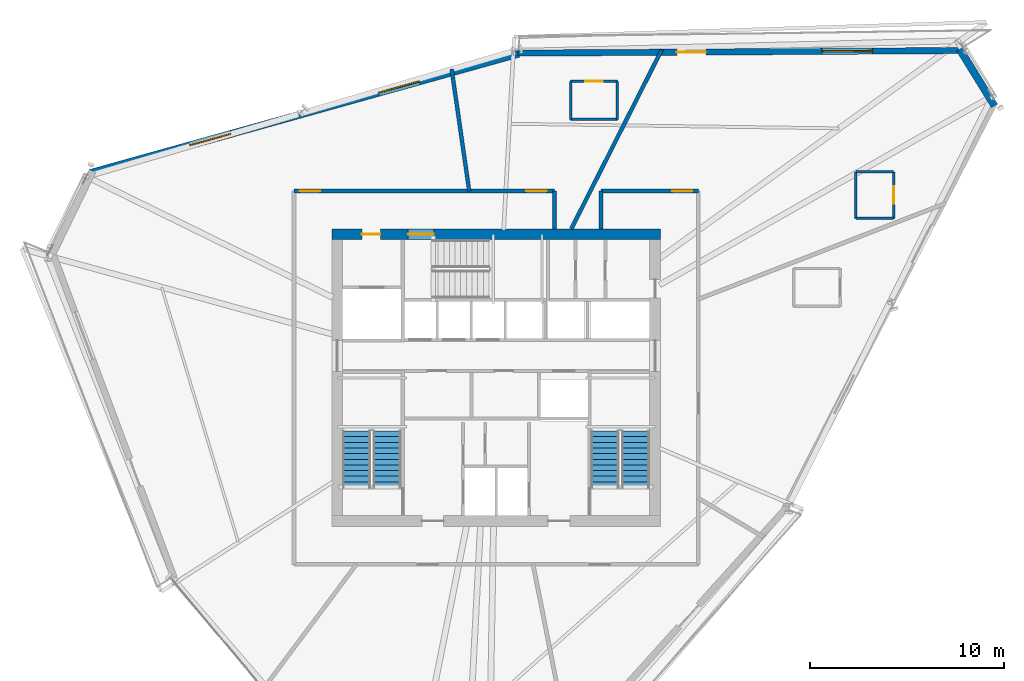
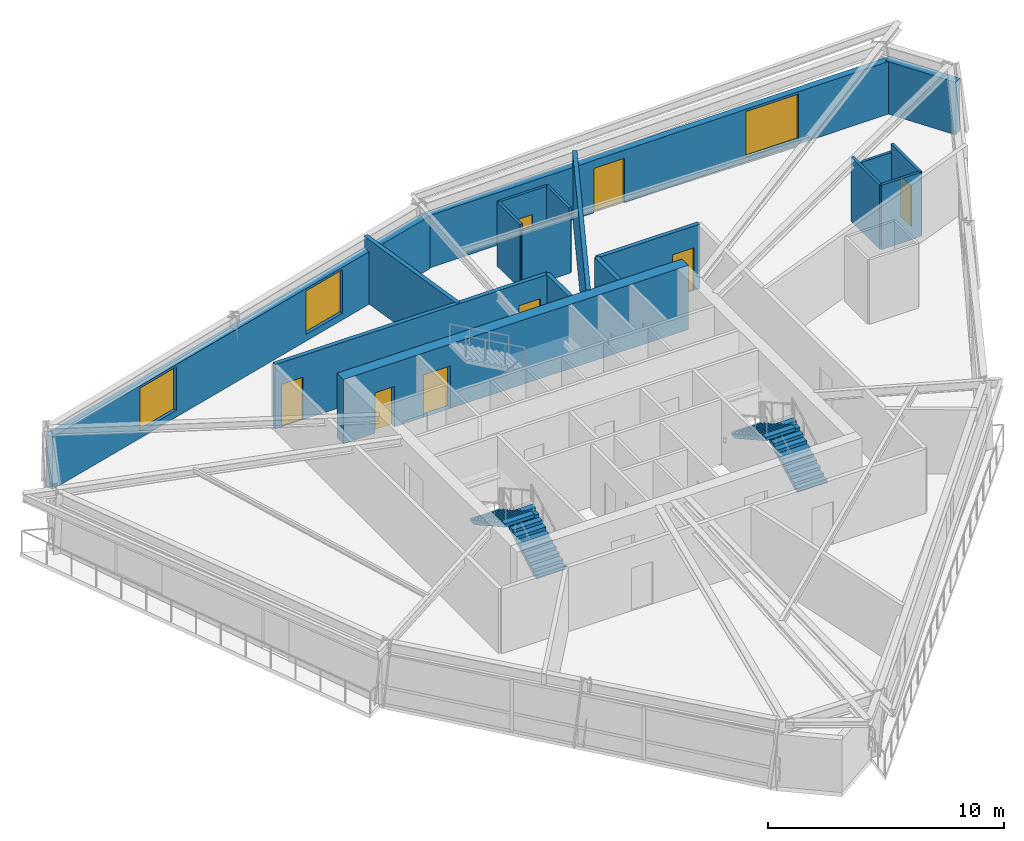
# One storey, part 11 of 15: 18 walls, 8 doors, 4 stair flights, 3 windows, 11 openings, 2 elements without a shape of their own.
"""IFC4 building model written with IfcOpenShell, lengths in metres."""

from ifc_helpers import new_model, si_unit, direction, frame, frame_2d, origin, place, context, subcontext, project, spatial, polyline, rectangle, outline, extrude, source, transform, mapped, material, layer, layer_set, type_object, type_shapes, element, fill, aggregate, save


model = new_model("IFC4")

# Units and contexts
model_context = context("Model", 3, precision=1e-05, world=origin(), true_north=direction((0.0, 1.0)))
body_context = subcontext(model_context, "Body", "Model", "MODEL_VIEW")
ifc_project = project(units=[si_unit("LENGTHUNIT", "METRE"), si_unit("AREAUNIT", "SQUARE_METRE"), si_unit("VOLUMEUNIT", "CUBIC_METRE"), si_unit("PLANEANGLEUNIT", "RADIAN"), si_unit("MASSUNIT", "GRAM", prefix="KILO")], contexts=[model_context])

# Site, building, storey
site_placement = place(None, origin())
site = spatial("IfcSite", under=ifc_project, at=site_placement, CompositionType="ELEMENT")
building_placement = place(site_placement, origin())
building = spatial("IfcBuilding", under=site, at=building_placement, Name="Olszyna Solenne Hotel", CompositionType="ELEMENT")
storey_placement = place(building_placement, frame((0.0, 0.0, 164.35009765625)))
storey = spatial("IfcBuildingStorey", under=building, at=storey_placement, Name="L43", CompositionType="ELEMENT", Elevation=164.35009765625)

# Wall, openings, doors
ifc_material_1 = material(Name="Concrete C50/60", Category="concrete")
ifc_layer_1 = layer(ifc_material_1, 0.550048828125, Name="Concrete C50/60")
ifc_layer_set_1 = layer_set([ifc_layer_1], Name="Concrete C50/60")
wall_type_1 = type_object("IfcWallType", Name="WL-CR550", PredefinedType="SHEAR", material=ifc_layer_set_1)
wall_1_placement = place(storey_placement, frame((29.550048828125, 33.97509765625, 0.0), z_axis=(0.0, 0.0, 1.0), x_axis=(1.0, 0.0, 0.0)))
wall_1 = element("IfcWall", 1, at=wall_1_placement, inside=storey, type_object=wall_type_1, Name="Core shear wall WL-CR550 CRW-L43-N", PredefinedType="SHEAR", context=body_context, shape_type="SweptSolid", body=[
    extrude(rectangle(XDim=16.89990234375, YDim=0.550048828125, at=frame_2d((8.449951171875, 0.0))), origin(), (0.0, 0.0, 1.0), 3.329833984375),
])
opening_1_placement = place(wall_1_placement, frame((1.550048828125, 0.0, 0.0)))
opening_1 = element("IfcOpeningElement", 2, at=opening_1_placement, cuts=wall_1, Name="Opening SVD-L43-01", PredefinedType="OPENING", context=body_context, shape_type="SweptSolid", body=[
    extrude(rectangle(XDim=0.949951171875, YDim=2.10009765625, at=frame_2d((0.47509765625, 1.050048828125))), frame((0.0, 0.28515625, 0.0), z_axis=(0.0, -1.0, 0.0), x_axis=(1.0, 0.0, 0.0)), (0.0, 0.0, 1.0), 0.570068359375),
])
opening_2_placement = place(wall_1_placement, frame((3.929931640625, 0.0, 0.0)))
opening_2 = element("IfcOpeningElement", 3, at=opening_2_placement, cuts=wall_1, Name="Opening STD-L43-03", PredefinedType="OPENING", context=body_context, shape_type="SweptSolid", body=[
    extrude(rectangle(XDim=1.320068359375, YDim=2.199951171875, at=frame_2d((0.66015625, 1.10009765625))), frame((0.0, 0.28515625, 0.0), z_axis=(0.0, -1.0, 0.0), x_axis=(1.0, 0.0, 0.0)), (0.0, 0.0, 1.0), 0.570068359375),
])
ifc_material_2 = material(Name="Steel S355J2", Category="steel")
door_type_1 = type_object("IfcDoorType", Name="DR-ST1", OperationType="NOTDEFINED", PredefinedType="DOOR", material=ifc_material_2)
shared_shape_1 = source(origin(), body_context, "Body", "SweptSolid", [
    extrude(rectangle(XDim=1.320068359375, YDim=2.199951171875, at=frame_2d((0.66015625, 1.10009765625))), frame((0.0, 0.02490234375, 0.0), z_axis=(0.0, -1.0, 0.0), x_axis=(1.0, 0.0, 0.0)), (0.0, 0.0, 1.0), 0.050048828125),
])
type_shapes(door_type_1, [shared_shape_1])
door_1_placement = place(opening_2_placement, origin())
door_1 = element("IfcDoor", 4, at=door_1_placement, inside=storey, type_object=door_type_1, Name="Pressurised exit stair ST3 fire door STD-L43-03", OperationType="SINGLE_SWING_RIGHT", OverallHeight=2.199951171875, OverallWidth=1.320068359375, PredefinedType="DOOR", context=body_context, shape_type="MappedRepresentation", body=[
    mapped(shared_shape_1, transform((0.0, 0.0, 0.0), x_axis=(1.0, 0.0, 0.0), y_axis=(0.0, 1.0, 0.0), z_axis=(0.0, 0.0, 1.0), scale=1.0)),
])
fill(opening_2, door_1)
door_type_2 = type_object("IfcDoorType", Name="DR-SV1", OperationType="NOTDEFINED", PredefinedType="DOOR", material=ifc_material_2)
shared_shape_2 = source(origin(), body_context, "Body", "SweptSolid", [
    extrude(rectangle(XDim=0.949951171875, YDim=2.10009765625, at=frame_2d((0.47509765625, 1.050048828125))), frame((0.0, 0.02490234375, 0.0), z_axis=(0.0, -1.0, 0.0), x_axis=(1.0, 0.0, 0.0)), (0.0, 0.0, 1.0), 0.050048828125),
])
type_shapes(door_type_2, [shared_shape_2])
door_2_placement = place(opening_1_placement, origin())
door_2 = element("IfcDoor", 5, at=door_2_placement, inside=storey, type_object=door_type_2, Name="Service lift lobby fire door SVD-L43-01", OperationType="SINGLE_SWING_LEFT", OverallHeight=2.10009765625, OverallWidth=0.949951171875, PredefinedType="DOOR", context=body_context, shape_type="MappedRepresentation", body=[
    mapped(shared_shape_2, transform((0.0, 0.0, 0.0), x_axis=(1.0, 0.0, 0.0), y_axis=(0.0, 1.0, 0.0), z_axis=(0.0, 0.0, 1.0), scale=1.0)),
])
fill(opening_1, door_2)

# Wall, openings, door, window
ifc_material_3 = material(Name="Precast concrete C45/55", Category="concrete")
ifc_layer_2 = layer(ifc_material_3, 0.320068359375, Name="Precast concrete C45/55")
ifc_layer_set_2 = layer_set([ifc_layer_2], Name="Precast concrete C45/55")
wall_type_2 = type_object("IfcWallType", Name="WL-EX320", PredefinedType="SOLIDWALL", material=ifc_layer_set_2)
wall_2_placement = place(storey_placement, frame((39.11962890625, 43.291748046875, 0.0), z_axis=(0.0, 0.0, 1.0), x_axis=(0.999982860289, 0.005854837953, 0.0)))
wall_2 = element("IfcWall", 6, at=wall_2_placement, inside=storey, type_object=wall_type_2, Name="Exterior terracotta-precast frame wall WL-EX320 EW-L43-08", PredefinedType="SOLIDWALL", context=body_context, shape_type="SweptSolid", body=[
    extrude(rectangle(XDim=22.892822265625, YDim=0.320068359375, at=frame_2d((11.4462890625, 0.0))), origin(), (0.0, 0.0, 1.0), 2.721923828125),
])
opening_3_placement = place(wall_2_placement, frame((8.176025390625, 0.0, 0.0)))
opening_3 = element("IfcOpeningElement", 7, at=opening_3_placement, cuts=wall_2, Name="Opening LDG-L43-1", PredefinedType="OPENING", context=body_context, shape_type="SweptSolid", body=[
    extrude(rectangle(XDim=1.5, YDim=2.300048828125, at=frame_2d((0.75, 1.14990234375))), frame((0.0, 0.169921875, 0.0), z_axis=(0.0, -1.0, 0.0), x_axis=(1.0, 0.0, 0.0)), (0.0, 0.0, 1.0), 0.340087890625),
])
opening_4_placement = place(wall_2_placement, frame((15.64111328125, 0.0, 0.251953125)))
opening_4 = element("IfcOpeningElement", 8, at=opening_4_placement, cuts=wall_2, Name="Opening WN-L43-266", PredefinedType="OPENING", context=body_context, shape_type="SweptSolid", body=[
    extrude(rectangle(XDim=2.60009765625, YDim=2.35009765625, at=frame_2d((1.300048828125, 1.175048828125))), frame((0.0, 0.169921875, 0.0), z_axis=(0.0, -1.0, 0.0), x_axis=(1.0, 0.0, 0.0)), (0.0, 0.0, 1.0), 0.340087890625),
])
ifc_material_4 = material(Name="Anodised bronze aluminium", Category="aluminium")
door_type_3 = type_object("IfcDoorType", Name="DR-LG2", OperationType="DOUBLE_DOOR_SINGLE_SWING", PredefinedType="DOOR", material=ifc_material_4)
shared_shape_3 = source(origin(), body_context, "Body", "SweptSolid", [
    extrude(rectangle(XDim=1.5, YDim=2.300048828125, at=frame_2d((0.75, 1.14990234375))), frame((0.0, 0.02490234375, 0.0), z_axis=(0.0, -1.0, 0.0), x_axis=(1.0, 0.0, 0.0)), (0.0, 0.0, 1.0), 0.050048828125),
])
type_shapes(door_type_3, [shared_shape_3])
door_3_placement = place(opening_3_placement, origin())
door_3 = element("IfcDoor", 9, at=door_3_placement, inside=storey, type_object=door_type_3, Name="Exterior loggia balcony door DR-LG2 LDG-L43-1", OperationType="DOUBLE_DOOR_SINGLE_SWING", OverallHeight=2.300048828125, OverallWidth=1.5, PredefinedType="DOOR", context=body_context, shape_type="MappedRepresentation", body=[
    mapped(shared_shape_3, transform((0.0, 0.0, 0.0), x_axis=(1.0, 0.0, 0.0), y_axis=(0.0, 1.0, 0.0), z_axis=(0.0, 0.0, 1.0), scale=1.0)),
])
fill(opening_3, door_3)
ifc_material_5 = material(Name="Low-E triple glazing", Category="glass")
window_type_1 = type_object("IfcWindowType", Name="WN-ST1", PartitioningType="SINGLE_PANEL", PredefinedType="WINDOW", material=ifc_material_5)
shared_shape_4 = source(origin(), body_context, "Body", "SweptSolid", [
    extrude(rectangle(XDim=2.60009765625, YDim=2.35009765625, at=frame_2d((1.300048828125, 1.175048828125))), frame((0.0, 0.030029296875, 0.0), z_axis=(0.0, -1.0, 0.0), x_axis=(1.0, 0.0, 0.0)), (0.0, 0.0, 1.0), 0.06005859375),
])
type_shapes(window_type_1, [shared_shape_4])
window_1_placement = place(opening_4_placement, origin())
window_1 = element("IfcWindow", 10, at=window_1_placement, inside=storey, type_object=window_type_1, Name="Loggia room window WN-ST1 WN-L43-266", OverallHeight=2.35009765625, OverallWidth=2.60009765625, PartitioningType="SINGLE_PANEL", PredefinedType="WINDOW", context=body_context, shape_type="MappedRepresentation", body=[
    mapped(shared_shape_4, transform((0.0, 0.0, 0.0), x_axis=(1.0, 0.0, 0.0), y_axis=(0.0, 1.0, 0.0), z_axis=(0.0, 0.0, 1.0), scale=1.0)),
])
fill(opening_4, window_1)

# Wall, openings, windows
ifc_material_6 = material(Name="Terracotta cladding on precast concrete C45/55", Category="masonry")
ifc_layer_3 = layer(ifc_material_6, 0.3798828125, Name="Terracotta cladding on precast concrete C45/55")
ifc_layer_set_3 = layer_set([ifc_layer_3], Name="Terracotta cladding on precast concrete C45/55")
wall_type_3 = type_object("IfcWallType", Name="WL-EX380", PredefinedType="SOLIDWALL", material=ifc_layer_set_3)
wall_3_placement = place(storey_placement, frame((17.1171875, 37.123291015625, 0.0), z_axis=(0.0, 0.0, 1.0), x_axis=(0.963294352917, 0.268447368468, 0.0)))
wall_3 = element("IfcWall", 11, at=wall_3_placement, inside=storey, type_object=wall_type_3, Name="Exterior terracotta-precast frame wall WL-EX380 EW-L43-07", PredefinedType="SOLIDWALL", context=body_context, shape_type="SweptSolid", body=[
    extrude(rectangle(XDim=22.892822265625, YDim=0.3798828125, at=frame_2d((11.4462890625, 0.0))), origin(), (0.0, 0.0, 1.0), 2.721923828125),
])
opening_5_placement = place(wall_3_placement, frame((5.31005859375, 0.0, 0.35205078125)))
opening_5 = element("IfcOpeningElement", 12, at=opening_5_placement, cuts=wall_3, Name="Opening WN-L43-264", PredefinedType="OPENING", context=body_context, shape_type="SweptSolid", body=[
    extrude(rectangle(XDim=2.199951171875, YDim=2.25, at=frame_2d((1.10009765625, 1.125))), frame((0.0, 0.199951171875, 0.0), z_axis=(0.0, -1.0, 0.0), x_axis=(1.0, 0.0, 0.0)), (0.0, 0.0, 1.0), 0.39990234375),
])
opening_6_placement = place(wall_3_placement, frame((15.383056640625, 0.0, 0.35205078125)))
opening_6 = element("IfcOpeningElement", 13, at=opening_6_placement, cuts=wall_3, Name="Opening WN-L43-265", PredefinedType="OPENING", context=body_context, shape_type="SweptSolid", body=[
    extrude(rectangle(XDim=2.199951171875, YDim=2.25, at=frame_2d((1.10009765625, 1.125))), frame((0.0, 0.199951171875, 0.0), z_axis=(0.0, -1.0, 0.0), x_axis=(1.0, 0.0, 0.0)), (0.0, 0.0, 1.0), 0.39990234375),
])
window_type_2 = type_object("IfcWindowType", Name="WN-HT2", PartitioningType="SINGLE_PANEL", PredefinedType="WINDOW", material=ifc_material_5)
shared_shape_5 = source(origin(), body_context, "Body", "SweptSolid", [
    extrude(rectangle(XDim=2.199951171875, YDim=2.25, at=frame_2d((1.10009765625, 1.125))), frame((0.0, 0.030029296875, 0.0), z_axis=(0.0, -1.0, 0.0), x_axis=(1.0, 0.0, 0.0)), (0.0, 0.0, 1.0), 0.06005859375),
])
type_shapes(window_type_2, [shared_shape_5])
window_2_placement = place(opening_5_placement, origin())
window_2 = element("IfcWindow", 14, at=window_2_placement, inside=storey, type_object=window_type_2, Name="Exterior facade window WN-HT2 WN-L43-264", OverallHeight=2.25, OverallWidth=2.199951171875, PartitioningType="SINGLE_PANEL", PredefinedType="WINDOW", context=body_context, shape_type="MappedRepresentation", body=[
    mapped(shared_shape_5, transform((0.0, 0.0, 0.0), x_axis=(1.0, 0.0, 0.0), y_axis=(0.0, 1.0, 0.0), z_axis=(0.0, 0.0, 1.0), scale=1.0)),
])
fill(opening_5, window_2)
window_3_placement = place(opening_6_placement, origin())
window_3 = element("IfcWindow", 15, at=window_3_placement, inside=storey, type_object=window_type_2, Name="Exterior facade window WN-HT2 WN-L43-265", OverallHeight=2.25, OverallWidth=2.199951171875, PartitioningType="SINGLE_PANEL", PredefinedType="WINDOW", context=body_context, shape_type="MappedRepresentation", body=[
    mapped(shared_shape_5, transform((0.0, 0.0, 0.0), x_axis=(1.0, 0.0, 0.0), y_axis=(0.0, 1.0, 0.0), z_axis=(0.0, 0.0, 1.0), scale=1.0)),
])
fill(opening_6, window_3)

# Wall
wall_4_placement = place(storey_placement, frame((61.849365234375, 43.486083984375, 0.0), z_axis=(0.0, 0.0, 1.0), x_axis=(0.524789160116, -0.851232246467, 0.0)))
element("IfcWall", 16, at=wall_4_placement, inside=storey, type_object=wall_type_3, Name="Exterior terracotta-precast frame wall WL-EX380 EW-L43-09", PredefinedType="SOLIDWALL", context=body_context, shape_type="SweptSolid", body=[
    extrude(rectangle(XDim=3.40576171875, YDim=0.3798828125, at=frame_2d((1.702880859375, 0.0))), origin(), (0.0, 0.0, 1.0), 2.721923828125),
])

# Wall, opening, door
ifc_material_7 = material(Name="Acoustic gypsum partition", Category="gypsum")
ifc_layer_4 = layer(ifc_material_7, 0.125, Name="Acoustic gypsum partition")
ifc_layer_set_4 = layer_set([ifc_layer_4], Name="Acoustic gypsum partition")
wall_type_4 = type_object("IfcWallType", Name="WL-PT125", PredefinedType="PARTITIONING", material=ifc_layer_set_4)
wall_5_placement = place(storey_placement, frame((58.450927734375, 34.7890625, 0.0), z_axis=(0.0, 0.0, 1.0), x_axis=(0.0, 1.0, 0.0)))
wall_5 = element("IfcWall", 17, at=wall_5_placement, inside=storey, type_object=wall_type_4, Name="Interior acoustic partition WL-PT125 PW-L43-2430", PredefinedType="PARTITIONING", context=body_context, shape_type="SweptSolid", body=[
    extrude(rectangle(XDim=2.39990234375, YDim=0.125, at=frame_2d((1.199951171875, 0.0))), origin(), (0.0, 0.0, 1.0), 3.329833984375),
])
opening_7_placement = place(wall_5_placement, frame((0.75, 0.0, 0.0)))
opening_7 = element("IfcOpeningElement", 18, at=opening_7_placement, cuts=wall_5, Name="Opening DR-L43-0586", PredefinedType="OPENING", context=body_context, shape_type="SweptSolid", body=[
    extrude(rectangle(XDim=0.89990234375, YDim=2.10009765625, at=frame_2d((0.449951171875, 1.050048828125))), frame((0.0, 0.072509765625, 0.0), z_axis=(0.0, -1.0, 0.0), x_axis=(1.0, 0.0, 0.0)), (0.0, 0.0, 1.0), 0.14501953125),
])
ifc_material_8 = material(Name="Timber hardwood", Category="wood")
door_type_4 = type_object("IfcDoorType", Name="DR-WC1", OperationType="NOTDEFINED", PredefinedType="DOOR", material=ifc_material_8)
shared_shape_6 = source(origin(), body_context, "Body", "SweptSolid", [
    extrude(rectangle(XDim=0.89990234375, YDim=2.10009765625, at=frame_2d((0.449951171875, 1.050048828125))), frame((0.0, 0.02490234375, 0.0), z_axis=(0.0, -1.0, 0.0), x_axis=(1.0, 0.0, 0.0)), (0.0, 0.0, 1.0), 0.050048828125),
])
type_shapes(door_type_4, [shared_shape_6])
door_4_placement = place(opening_7_placement, origin())
door_4 = element("IfcDoor", 19, at=door_4_placement, inside=storey, type_object=door_type_4, Name="En-Suite Bathroom Door DR-L43-0586", OperationType="SINGLE_SWING_RIGHT", OverallHeight=2.10009765625, OverallWidth=0.89990234375, PredefinedType="DOOR", context=body_context, shape_type="MappedRepresentation", body=[
    mapped(shared_shape_6, transform((0.0, 0.0, 0.0), x_axis=(1.0, 0.0, 0.0), y_axis=(0.0, 1.0, 0.0), z_axis=(0.0, 0.0, 1.0), scale=1.0)),
])
fill(opening_7, door_4)

# Walls
wall_6_placement = place(storey_placement, frame((58.450927734375, 37.18896484375, 0.0), z_axis=(0.0, 0.0, 1.0), x_axis=(-1.0, 0.0, 0.0)))
element("IfcWall", 20, at=wall_6_placement, inside=storey, type_object=wall_type_4, Name="Interior acoustic partition WL-PT125 PW-L43-2431", PredefinedType="PARTITIONING", context=body_context, shape_type="SweptSolid", body=[
    extrude(rectangle(XDim=1.949951171875, YDim=0.125, at=frame_2d((0.97509765625, 0.0))), origin(), (0.0, 0.0, 1.0), 2.9248046875),
])
wall_7_placement = place(storey_placement, frame((56.5009765625, 37.18896484375, 0.0), z_axis=(0.0, 0.0, 1.0), x_axis=(0.0, -1.0, 0.0)))
element("IfcWall", 21, at=wall_7_placement, inside=storey, type_object=wall_type_4, Name="Interior acoustic partition WL-PT125 PW-L43-2432", PredefinedType="PARTITIONING", context=body_context, shape_type="SweptSolid", body=[
    extrude(rectangle(XDim=2.39990234375, YDim=0.125, at=frame_2d((1.199951171875, 0.0))), origin(), (0.0, 0.0, 1.0), 3.329833984375),
])
for number, where, z_axis, x_axis, name in (
    (22, (56.5009765625, 34.7890625, 0.0), (0.0, 0.0, 1.0), (1.0, 0.0, 0.0), "Interior acoustic partition WL-PT125 PW-L43-2433"),
    (23, (44.236083984375, 39.886962890625, 0.0), (0.0, 0.0, 1.0), (0.0, 1.0, 0.0), "Interior acoustic partition WL-PT125 PW-L43-2434"),
):
    element("IfcWall", number, at=place(storey_placement, frame(where, z_axis=z_axis, x_axis=x_axis)), inside=storey, type_object=wall_type_4, Name=name, PredefinedType="PARTITIONING", context=body_context, shape_type="SweptSolid", body=[
        extrude(rectangle(XDim=1.949951171875, YDim=0.125, at=frame_2d((0.97509765625, 0.0))), origin(), (0.0, 0.0, 1.0), 3.329833984375),
    ])

# Wall, opening, door
wall_8_placement = place(storey_placement, frame((44.236083984375, 41.8369140625, 0.0), z_axis=(0.0, 0.0, 1.0), x_axis=(-1.0, 0.0, 0.0)))
wall_8 = element("IfcWall", 24, at=wall_8_placement, inside=storey, type_object=wall_type_4, Name="Interior acoustic partition WL-PT125 PW-L43-2435", PredefinedType="PARTITIONING", context=body_context, shape_type="SweptSolid", body=[
    extrude(rectangle(XDim=2.400146484375, YDim=0.125, at=frame_2d((1.2001953125, 0.0))), origin(), (0.0, 0.0, 1.0), 3.329833984375),
])
opening_8_placement = place(wall_8_placement, frame((0.75, 0.0, 0.0)))
opening_8 = element("IfcOpeningElement", 25, at=opening_8_placement, cuts=wall_8, Name="Opening DR-L43-0587", PredefinedType="OPENING", context=body_context, shape_type="SweptSolid", body=[
    extrude(rectangle(XDim=0.89990234375, YDim=2.10009765625, at=frame_2d((0.449951171875, 1.050048828125))), frame((0.0, 0.072509765625, 0.0), z_axis=(0.0, -1.0, 0.0), x_axis=(1.0, 0.0, 0.0)), (0.0, 0.0, 1.0), 0.14501953125),
])
door_5_placement = place(opening_8_placement, origin())
door_5 = element("IfcDoor", 26, at=door_5_placement, inside=storey, type_object=door_type_4, Name="En-Suite Bathroom Door DR-L43-0587", OperationType="SINGLE_SWING_LEFT", OverallHeight=2.10009765625, OverallWidth=0.89990234375, PredefinedType="DOOR", context=body_context, shape_type="MappedRepresentation", body=[
    mapped(shared_shape_6, transform((0.0, 0.0, 0.0), x_axis=(1.0, 0.0, 0.0), y_axis=(0.0, 1.0, 0.0), z_axis=(0.0, 0.0, 1.0), scale=1.0)),
])
fill(opening_8, door_5)

# Walls
wall_9_placement = place(storey_placement, frame((41.8359375, 41.8369140625, 0.0), z_axis=(0.0, 0.0, 1.0), x_axis=(0.0, -1.0, 0.0)))
element("IfcWall", 27, at=wall_9_placement, inside=storey, type_object=wall_type_4, Name="Interior acoustic partition WL-PT125 PW-L43-2436", PredefinedType="PARTITIONING", context=body_context, shape_type="SweptSolid", body=[
    extrude(rectangle(XDim=1.949951171875, YDim=0.125, at=frame_2d((0.97509765625, 0.0))), origin(), (0.0, 0.0, 1.0), 3.329833984375),
])
wall_10_placement = place(storey_placement, frame((41.8359375, 39.886962890625, 0.0), z_axis=(0.0, 0.0, 1.0), x_axis=(1.0, 0.0, 0.0)))
element("IfcWall", 28, at=wall_10_placement, inside=storey, type_object=wall_type_4, Name="Interior acoustic partition WL-PT125 PW-L43-2437", PredefinedType="PARTITIONING", context=body_context, shape_type="SweptSolid", body=[
    extrude(rectangle(XDim=2.400146484375, YDim=0.125, at=frame_2d((1.2001953125, 0.0))), origin(), (0.0, 0.0, 1.0), 3.014892578125),
])
ifc_layer_5 = layer(ifc_material_7, 0.199951171875, Name="Acoustic gypsum partition")
ifc_layer_set_5 = layer_set([ifc_layer_5], Name="Acoustic gypsum partition")
wall_type_5 = type_object("IfcWallType", Name="WL-PT200", PredefinedType="PARTITIONING", material=ifc_layer_set_5)
wall_11_placement = place(storey_placement, frame((36.61669921875, 36.199951171875, 0.0), z_axis=(0.0, 0.0, 1.0), x_axis=(-0.142634918222, 0.989775368507, 0.0)))
element("IfcWall", 29, at=wall_11_placement, inside=storey, type_object=wall_type_5, Name="Interior acoustic partition WL-PT200 PW-L43-2420", PredefinedType="PARTITIONING", context=body_context, shape_type="SweptSolid", body=[
    extrude(rectangle(XDim=6.33642578125, YDim=0.199951171875, at=frame_2d((3.168212890625, 0.0))), origin(), (0.0, 0.0, 1.0), 3.329833984375),
])
wall_12_placement = place(storey_placement, frame((41.8642578125, 34.25, 0.0), z_axis=(0.0, 0.0, 1.0), x_axis=(0.450889382552, 0.892579836598, 0.0)))
element("IfcWall", 30, at=wall_12_placement, inside=storey, type_object=wall_type_5, Name="Interior acoustic partition WL-PT200 PW-L43-2425", PredefinedType="PARTITIONING", context=body_context, shape_type="SweptSolid", body=[
    extrude(rectangle(XDim=10.32421875, YDim=0.199951171875, at=frame_2d((5.162109375, 0.0))), origin(), (0.0, 0.0, 1.0), 3.329833984375),
])

# Wall, openings, doors
wall_13_placement = place(storey_placement, frame((27.60009765625, 36.199951171875, 0.0), z_axis=(0.0, 0.0, 1.0), x_axis=(1.0, 0.0, 0.0)))
wall_13 = element("IfcWall", 31, at=wall_13_placement, inside=storey, type_object=wall_type_5, Name="Interior acoustic partition WL-PT200 PW-L43-2440", PredefinedType="PARTITIONING", context=body_context, shape_type="SweptSolid", body=[
    extrude(rectangle(XDim=13.39990234375, YDim=0.199951171875, at=frame_2d((6.699951171875, 0.0))), origin(), (0.0, 0.0, 1.0), 3.329833984375),
])
opening_9_placement = place(wall_13_placement, frame((0.300048828125, 0.0, 0.0)))
opening_9 = element("IfcOpeningElement", 32, at=opening_9_placement, cuts=wall_13, Name="Opening DR-L43-0590", PredefinedType="OPENING", context=body_context, shape_type="SweptSolid", body=[
    extrude(rectangle(XDim=1.050048828125, YDim=2.199951171875, at=frame_2d((0.52490234375, 1.10009765625))), frame((0.0, 0.10986328125, 0.0), z_axis=(0.0, -1.0, 0.0), x_axis=(1.0, 0.0, 0.0)), (0.0, 0.0, 1.0), 0.219970703125),
])
opening_10_placement = place(wall_13_placement, frame((11.943115234375, 0.0, 0.0)))
opening_10 = element("IfcOpeningElement", 33, at=opening_10_placement, cuts=wall_13, Name="Opening DR-L43-0591", PredefinedType="OPENING", context=body_context, shape_type="SweptSolid", body=[
    extrude(rectangle(XDim=1.050048828125, YDim=2.199951171875, at=frame_2d((0.52490234375, 1.10009765625))), frame((0.0, 0.10986328125, 0.0), z_axis=(0.0, -1.0, 0.0), x_axis=(1.0, 0.0, 0.0)), (0.0, 0.0, 1.0), 0.219970703125),
])
door_type_5 = type_object("IfcDoorType", Name="DR-RM2", OperationType="NOTDEFINED", PredefinedType="DOOR", material=ifc_material_8)
shared_shape_7 = source(origin(), body_context, "Body", "SweptSolid", [
    extrude(rectangle(XDim=1.050048828125, YDim=2.199951171875, at=frame_2d((0.52490234375, 1.10009765625))), frame((0.0, 0.02490234375, 0.0), z_axis=(0.0, -1.0, 0.0), x_axis=(1.0, 0.0, 0.0)), (0.0, 0.0, 1.0), 0.050048828125),
])
type_shapes(door_type_5, [shared_shape_7])
door_6_placement = place(opening_9_placement, origin())
door_6 = element("IfcDoor", 34, at=door_6_placement, inside=storey, type_object=door_type_5, Name="Conference Boardroom Entrance Door DR-L43-0590", OperationType="SINGLE_SWING_RIGHT", OverallHeight=2.199951171875, OverallWidth=1.050048828125, PredefinedType="DOOR", context=body_context, shape_type="MappedRepresentation", body=[
    mapped(shared_shape_7, transform((0.0, 0.0, 0.0), x_axis=(1.0, 0.0, 0.0), y_axis=(0.0, 1.0, 0.0), z_axis=(0.0, 0.0, 1.0), scale=1.0)),
])
fill(opening_9, door_6)
door_7_placement = place(opening_10_placement, origin())
door_7 = element("IfcDoor", 35, at=door_7_placement, inside=storey, type_object=door_type_5, Name="Executive Reading Salon Entrance Door DR-L43-0591", OperationType="SINGLE_SWING_LEFT", OverallHeight=2.199951171875, OverallWidth=1.050048828125, PredefinedType="DOOR", context=body_context, shape_type="MappedRepresentation", body=[
    mapped(shared_shape_7, transform((0.0, 0.0, 0.0), x_axis=(1.0, 0.0, 0.0), y_axis=(0.0, 1.0, 0.0), z_axis=(0.0, 0.0, 1.0), scale=1.0)),
])
fill(opening_10, door_7)

# Wall
wall_14_placement = place(storey_placement, frame((41.0, 34.25, 0.0), z_axis=(0.0, 0.0, 1.0), x_axis=(0.0, 1.0, 0.0)))
element("IfcWall", 36, at=wall_14_placement, inside=storey, type_object=wall_type_5, Name="Interior acoustic partition WL-PT200 PW-L43-2441", PredefinedType="PARTITIONING", context=body_context, shape_type="SweptSolid", body=[
    extrude(rectangle(XDim=1.949951171875, YDim=0.199951171875, at=frame_2d((0.97509765625, 0.0))), origin(), (0.0, 0.0, 1.0), 3.329833984375),
])

# Wall, opening, door
wall_15_placement = place(storey_placement, frame((43.39990234375, 36.199951171875, 0.0), z_axis=(0.0, 0.0, 1.0), x_axis=(1.0, 0.0, 0.0)))
wall_15 = element("IfcWall", 37, at=wall_15_placement, inside=storey, type_object=wall_type_5, Name="Interior acoustic partition WL-PT200 PW-L43-2442", PredefinedType="PARTITIONING", context=body_context, shape_type="SweptSolid", body=[
    extrude(rectangle(XDim=5.0, YDim=0.199951171875, at=frame_2d((2.5, 0.0))), origin(), (0.0, 0.0, 1.0), 3.329833984375),
])
opening_11_placement = place(wall_15_placement, frame((3.64990234375, 0.0, 0.0)))
opening_11 = element("IfcOpeningElement", 38, at=opening_11_placement, cuts=wall_15, Name="Opening DR-L43-0592", PredefinedType="OPENING", context=body_context, shape_type="SweptSolid", body=[
    extrude(rectangle(XDim=1.050048828125, YDim=2.199951171875, at=frame_2d((0.52490234375, 1.10009765625))), frame((0.0, 0.10986328125, 0.0), z_axis=(0.0, -1.0, 0.0), x_axis=(1.0, 0.0, 0.0)), (0.0, 0.0, 1.0), 0.219970703125),
])
door_8_placement = place(opening_11_placement, origin())
door_8 = element("IfcDoor", 39, at=door_8_placement, inside=storey, type_object=door_type_5, Name="Deluxe Hotel Guestroom Entrance Door DR-L43-0592", OperationType="SINGLE_SWING_RIGHT", OverallHeight=2.199951171875, OverallWidth=1.050048828125, PredefinedType="DOOR", context=body_context, shape_type="MappedRepresentation", body=[
    mapped(shared_shape_7, transform((0.0, 0.0, 0.0), x_axis=(1.0, 0.0, 0.0), y_axis=(0.0, 1.0, 0.0), z_axis=(0.0, 0.0, 1.0), scale=1.0)),
])
fill(opening_11, door_8)

# Wall
wall_16_placement = place(storey_placement, frame((43.39990234375, 34.25, 0.0), z_axis=(0.0, 0.0, 1.0), x_axis=(0.0, 1.0, 0.0)))
element("IfcWall", 40, at=wall_16_placement, inside=storey, type_object=wall_type_5, Name="Interior acoustic partition WL-PT200 PW-L43-2443", PredefinedType="PARTITIONING", context=body_context, shape_type="SweptSolid", body=[
    extrude(rectangle(XDim=1.949951171875, YDim=0.199951171875, at=frame_2d((0.97509765625, 0.0))), origin(), (0.0, 0.0, 1.0), 3.329833984375),
])

# Stair, stair flights
ifc_material_9 = material(Name="Concrete C40/50", Category="concrete")
stair_type = type_object("IfcStairType", Name="STR-C1", PredefinedType="TWO_QUARTER_WINDING_STAIR", material=ifc_material_9)
stair_1_placement = place(storey_placement, origin())
stair_1 = element("IfcStair", 41, at=stair_1_placement, inside=storey, type_object=stair_type, Name="L43 ST1", PredefinedType="TWO_QUARTER_WINDING_STAIR")
stair_flight_type = type_object("IfcStairFlightType", Name="FLT-C1", PredefinedType="STRAIGHT", material=ifc_material_9)
stair_flight_1_placement = place(storey_placement, frame((32.39501953125, 20.949951171875, 0.0), z_axis=(0.0, 0.0, 1.0), x_axis=(0.0, 1.0, 0.0)))
stair_flight_1 = element("IfcStairFlight", 42, at=stair_flight_1_placement, type_object=stair_flight_type, Name="ST1 flight 1", NumberOfRisers=11, NumberOfTreads=10, PredefinedType="STRAIGHT", RiserHeight=0.161363636, TreadLength=0.29, context=body_context, shape_type="SweptSolid", body=[
    extrude(outline(polyline([(0.0, 0.0), (0.0, 0.161376953125), (0.2900390625, 0.161376953125), (0.2900390625, 0.32275390625), (0.580078125, 0.32275390625), (0.580078125, 0.484130859375), (0.8701171875, 0.484130859375), (0.8701171875, 0.6455078125), (1.159912109375, 0.6455078125), (1.159912109375, 0.806884765625), (1.449951171875, 0.806884765625), (1.449951171875, 0.96826171875), (1.739990234375, 0.96826171875), (1.739990234375, 1.129638671875), (2.030029296875, 1.129638671875), (2.030029296875, 1.291015625), (2.320068359375, 1.291015625), (2.320068359375, 1.452392578125), (2.610107421875, 1.452392578125), (2.610107421875, 1.613525390625), (2.89990234375, 1.613525390625), (2.89990234375, 1.77490234375), (2.89990234375, 1.442138671875), (0.308349609375, 0.0), (0.0, 0.0)])), frame((0.0, 0.72509765625, 0.0), z_axis=(0.0, -1.0, 0.0), x_axis=(1.0, 0.0, 0.0)), (0.0, 0.0, 1.0), 1.449951171875),
])
stair_flight_2_placement = place(storey_placement, frame((30.824951171875, 23.85009765625, 1.77490234375), z_axis=(0.0, 0.0, 1.0), x_axis=(0.0, -1.0, 0.0)))
stair_flight_2 = element("IfcStairFlight", 43, at=stair_flight_2_placement, type_object=stair_flight_type, Name="ST1 flight 2", NumberOfRisers=11, NumberOfTreads=10, PredefinedType="STRAIGHT", RiserHeight=0.161363636, TreadLength=0.29, context=body_context, shape_type="SweptSolid", body=[
    extrude(outline(polyline([(0.0, 0.0), (0.0, 0.161376953125), (0.2900390625, 0.161376953125), (0.2900390625, 0.32275390625), (0.580078125, 0.32275390625), (0.580078125, 0.484130859375), (0.8701171875, 0.484130859375), (0.8701171875, 0.6455078125), (1.159912109375, 0.6455078125), (1.159912109375, 0.806884765625), (1.449951171875, 0.806884765625), (1.449951171875, 0.96826171875), (1.739990234375, 0.96826171875), (1.739990234375, 1.129638671875), (2.030029296875, 1.129638671875), (2.030029296875, 1.291015625), (2.320068359375, 1.291015625), (2.320068359375, 1.452392578125), (2.610107421875, 1.452392578125), (2.610107421875, 1.613525390625), (2.89990234375, 1.613525390625), (2.89990234375, 1.77490234375), (2.89990234375, 1.442138671875), (0.308349609375, 0.0), (0.0, 0.0)])), frame((0.0, 0.72509765625, 0.0), z_axis=(0.0, -1.0, 0.0), x_axis=(1.0, 0.0, 0.0)), (0.0, 0.0, 1.0), 1.449951171875),
])
aggregate(stair_1, [stair_flight_1, stair_flight_2])

stair_2_placement = place(storey_placement, origin())
stair_2 = element("IfcStair", 44, at=stair_2_placement, inside=storey, type_object=stair_type, Name="L43 ST2", PredefinedType="TWO_QUARTER_WINDING_STAIR")
stair_flight_3_placement = place(storey_placement, frame((45.175048828125, 20.949951171875, 0.0), z_axis=(0.0, 0.0, 1.0), x_axis=(0.0, 1.0, 0.0)))
stair_flight_3 = element("IfcStairFlight", 45, at=stair_flight_3_placement, type_object=stair_flight_type, Name="ST2 flight 1", NumberOfRisers=11, NumberOfTreads=10, PredefinedType="STRAIGHT", RiserHeight=0.161363636, TreadLength=0.29, context=body_context, shape_type="SweptSolid", body=[
    extrude(outline(polyline([(0.0, 0.0), (0.0, 0.161376953125), (0.2900390625, 0.161376953125), (0.2900390625, 0.32275390625), (0.580078125, 0.32275390625), (0.580078125, 0.484130859375), (0.8701171875, 0.484130859375), (0.8701171875, 0.6455078125), (1.159912109375, 0.6455078125), (1.159912109375, 0.806884765625), (1.449951171875, 0.806884765625), (1.449951171875, 0.96826171875), (1.739990234375, 0.96826171875), (1.739990234375, 1.129638671875), (2.030029296875, 1.129638671875), (2.030029296875, 1.291015625), (2.320068359375, 1.291015625), (2.320068359375, 1.452392578125), (2.610107421875, 1.452392578125), (2.610107421875, 1.613525390625), (2.89990234375, 1.613525390625), (2.89990234375, 1.77490234375), (2.89990234375, 1.442138671875), (0.308349609375, 0.0), (0.0, 0.0)])), frame((0.0, 0.72509765625, 0.0), z_axis=(0.0, -1.0, 0.0), x_axis=(1.0, 0.0, 0.0)), (0.0, 0.0, 1.0), 1.449951171875),
])
stair_flight_4_placement = place(storey_placement, frame((43.60498046875, 23.85009765625, 1.77490234375), z_axis=(0.0, 0.0, 1.0), x_axis=(0.0, -1.0, 0.0)))
stair_flight_4 = element("IfcStairFlight", 46, at=stair_flight_4_placement, type_object=stair_flight_type, Name="ST2 flight 2", NumberOfRisers=11, NumberOfTreads=10, PredefinedType="STRAIGHT", RiserHeight=0.161363636, TreadLength=0.29, context=body_context, shape_type="SweptSolid", body=[
    extrude(outline(polyline([(0.0, 0.0), (0.0, 0.161376953125), (0.2900390625, 0.161376953125), (0.2900390625, 0.32275390625), (0.580078125, 0.32275390625), (0.580078125, 0.484130859375), (0.8701171875, 0.484130859375), (0.8701171875, 0.6455078125), (1.159912109375, 0.6455078125), (1.159912109375, 0.806884765625), (1.449951171875, 0.806884765625), (1.449951171875, 0.96826171875), (1.739990234375, 0.96826171875), (1.739990234375, 1.129638671875), (2.030029296875, 1.129638671875), (2.030029296875, 1.291015625), (2.320068359375, 1.291015625), (2.320068359375, 1.452392578125), (2.610107421875, 1.452392578125), (2.610107421875, 1.613525390625), (2.89990234375, 1.613525390625), (2.89990234375, 1.77490234375), (2.89990234375, 1.442138671875), (0.308349609375, 0.0), (0.0, 0.0)])), frame((0.0, 0.72509765625, 0.0), z_axis=(0.0, -1.0, 0.0), x_axis=(1.0, 0.0, 0.0)), (0.0, 0.0, 1.0), 1.449951171875),
])
aggregate(stair_2, [stair_flight_3, stair_flight_4])

save(model, "model.ifc")
